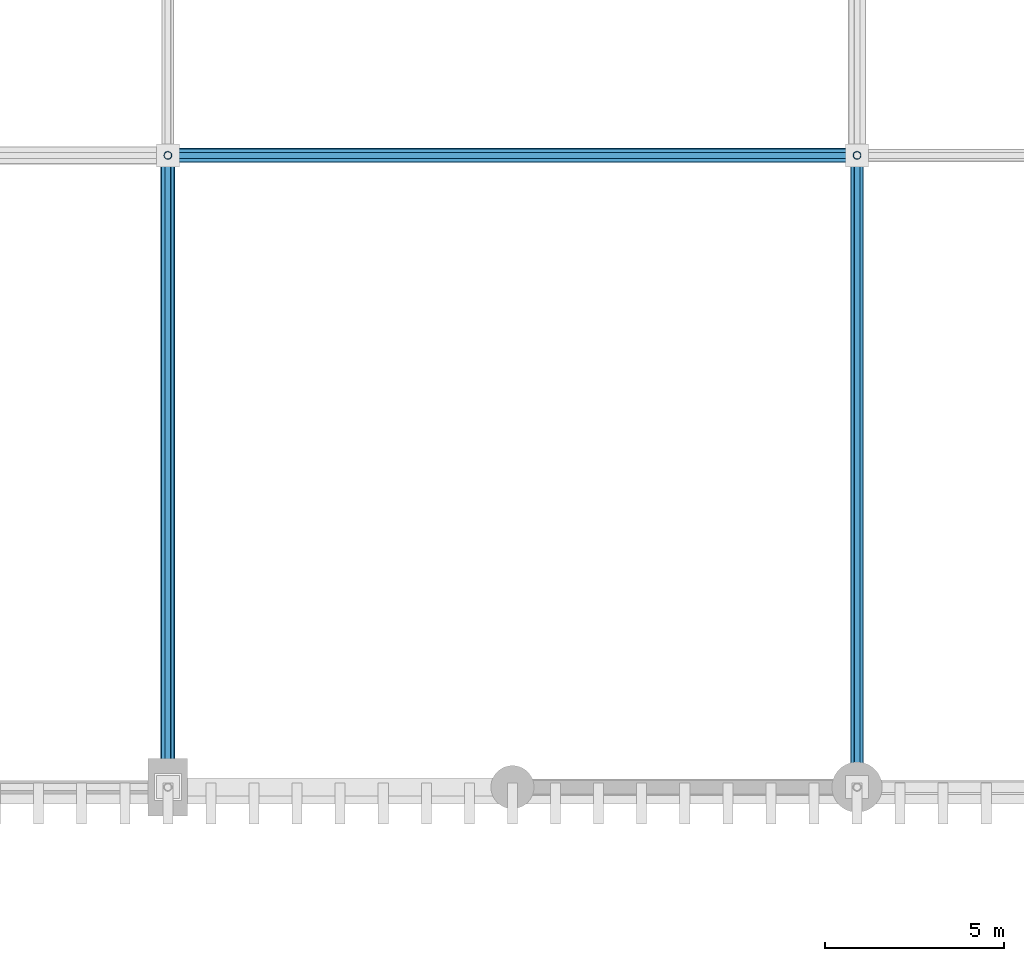
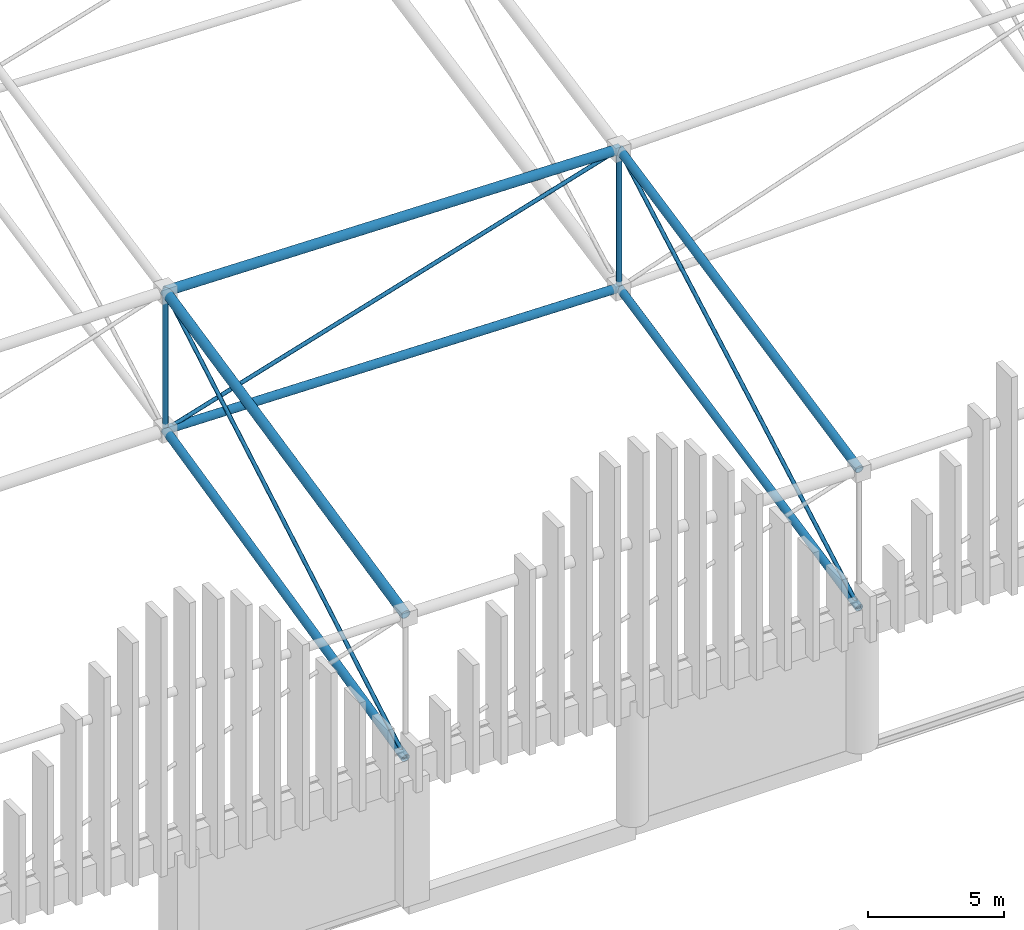
# One storey, part 53 of 193: 11 members.
"""IFC4 building model written with IfcOpenShell, lengths in metres."""

import ifcopenshell
import ifcopenshell.guid

model = None  # the IFC model being written
_history = None  # IfcOwnerHistory: only IFC2X3 demands one
_inside = {}  # id of a spatial element -> (the spatial element, [elements in it])
_under = {}  # id of a project, library or spatial element -> (it, [spatial elements below it])
_declared = {}  # id of a project -> (the project, [libraries it declares])
_typed = {}  # id of a type object -> (the type object, [elements of that type])
_made_of = {}  # id of a material, layer set ... -> (it, [elements and type objects made of it])


def new_model(schema):
    """Start an empty IFC model of exactly this schema.

    Asked for "IFC4X3", IfcOpenShell would pick the latest addendum, in which some entities
    have other attributes; the version numbers below select the first issue.
    IFC2X3 requires an IfcOwnerHistory on every rooted entity: one is made here for all.
    """
    global model, _history
    if schema == "IFC4X3":
        model = ifcopenshell.file(schema_version=(4, 3, 0, 0))
    else:
        model = ifcopenshell.file(schema=schema)
    _inside.clear()
    _under.clear()
    _declared.clear()
    _typed.clear()
    _made_of.clear()
    _history = None
    if model.schema == "IFC2X3":
        org = make("IfcOrganization", Name="unknown")
        user = make(
            "IfcPersonAndOrganization",
            ThePerson=make("IfcPerson", FamilyName="unknown"),
            TheOrganization=org,
        )
        app = make(
            "IfcApplication",
            ApplicationDeveloper=org,
            Version="unknown",
            ApplicationFullName="unknown",
            ApplicationIdentifier="unknown",
        )
        _history = make(
            "IfcOwnerHistory",
            OwningUser=user,
            OwningApplication=app,
            ChangeAction="ADDED",
            CreationDate=0,
        )
    return model


def make(cls, **values):
    """One entity of the class cls with the attributes given. An attribute that is None is left unset."""
    return model.create_entity(
        cls, **{name: value for name, value in values.items() if value is not None}
    )


def rooted(cls, **values):
    """An entity with a GlobalId (a new one), such as an element, a storey or a relation."""
    return make(cls, GlobalId=ifcopenshell.guid.new(), OwnerHistory=_history, **values)


def si_unit(unit_type, name, prefix=None):
    """IfcSIUnit, for example si_unit("LENGTHUNIT", "METRE", prefix="MILLI")."""
    return make("IfcSIUnit", UnitType=unit_type, Prefix=prefix, Name=name)


def assignment(units):
    """IfcUnitAssignment: the units of a project."""
    return None if units is None else make("IfcUnitAssignment", Units=units)


def point(xyz):
    """IfcCartesianPoint."""
    return None if xyz is None else make("IfcCartesianPoint", Coordinates=xyz)


def direction(xyz):
    """IfcDirection."""
    return None if xyz is None else make("IfcDirection", DirectionRatios=xyz)


def frame(location, z_axis=None, x_axis=None):
    """IfcAxis2Placement3D, a coordinate frame: its origin and axes. An axis left out is left unset."""
    return make(
        "IfcAxis2Placement3D",
        Location=point(location),
        Axis=direction(z_axis),
        RefDirection=direction(x_axis),
    )


def frame_2d(location, x_axis=None):
    """IfcAxis2Placement2D, a coordinate frame in the plane: its origin and x axis."""
    return make(
        "IfcAxis2Placement2D", Location=point(location), RefDirection=direction(x_axis)
    )


def origin():
    """The frame at (0, 0, 0) with its axes left unset."""
    return frame((0.0, 0.0, 0.0))


def origin_2d():
    """The frame at (0, 0) in the plane with its x axis left unset."""
    return frame_2d((0.0, 0.0))


def place(relative_to, where):
    """IfcLocalPlacement: puts the frame where relative to a parent placement (None: the world)."""
    return make(
        "IfcLocalPlacement", PlacementRelTo=relative_to, RelativePlacement=where
    )


def context(
    kind, dimensions, precision=None, world=None, true_north=None, identifier=None
):
    """IfcGeometricRepresentationContext, for example the 3D "Model" context."""
    return make(
        "IfcGeometricRepresentationContext",
        ContextIdentifier=identifier,
        ContextType=kind,
        CoordinateSpaceDimension=dimensions,
        Precision=precision,
        WorldCoordinateSystem=world,
        TrueNorth=true_north,
    )


def subcontext(parent, identifier, kind, view, scale=None):
    """IfcGeometricRepresentationSubContext, for example "Body" below "Model"."""
    return make(
        "IfcGeometricRepresentationSubContext",
        ContextIdentifier=identifier,
        ContextType=kind,
        ParentContext=parent,
        TargetScale=scale,
        TargetView=view,
    )


def project(units=None, contexts=None):
    """IfcProject with its units and contexts."""
    return rooted(
        "IfcProject",
        Name="project",
        RepresentationContexts=contexts,
        UnitsInContext=assignment(units),
    )


def spatial(cls, under=None, at=None, **own):
    """A site, building, storey or space (cls), placed at a placement, below another one or the project."""
    s = rooted(cls, ObjectPlacement=at, **own)
    if under is not None:
        _under.setdefault(under.id(), (under, []))[1].append(s)
    return s


def profile(cls, at=None, kind="AREA", **sizes):
    """A parametric profile (cls). Its sizes go by their IFC names, for example OverallWidth=200.0."""
    return make(cls, ProfileType=kind, Position=at, **sizes)


def hollow_circle(**sizes):
    """IfcCircleHollowProfileDef."""
    return profile("IfcCircleHollowProfileDef", **sizes)


def extrude(swept, where, along, depth):
    """IfcExtrudedAreaSolid: the profile swept, set in the frame where, extruded along a direction by depth."""
    return make(
        "IfcExtrudedAreaSolid",
        SweptArea=swept,
        Position=where,
        ExtrudedDirection=direction(along),
        Depth=depth,
    )


def shape(context_of_items, identifier, shape_type, items):
    """IfcShapeRepresentation: the items that make up one representation, for example the "Body"."""
    return make(
        "IfcShapeRepresentation",
        ContextOfItems=context_of_items,
        RepresentationIdentifier=identifier,
        RepresentationType=shape_type,
        Items=items,
    )


def material(Name=None, Category=None):
    """IfcMaterial."""
    return make("IfcMaterial", Name=Name, Category=Category)


def material_profile(
    of_material, cross_section, Name=None, Category=None, Priority=None
):
    """IfcMaterialProfile: a cross section and its material."""
    return make(
        "IfcMaterialProfile",
        Name=Name,
        Material=of_material,
        Profile=cross_section,
        Priority=Priority,
        Category=Category,
    )


def profile_set(profiles, Name=None, composite=None):
    """IfcMaterialProfileSet."""
    return make(
        "IfcMaterialProfileSet",
        Name=Name,
        MaterialProfiles=profiles,
        CompositeProfile=composite,
    )


def made_of(thing, what):
    """Note that an element or type object is made of a material, layer set ...; save() writes the relation."""
    if what is not None:
        _made_of.setdefault(what.id(), (what, []))[1].append(thing)
    return thing


def type_object(cls, material=None, **own):
    """A type object (cls), such as IfcWallType, which elements share."""
    return made_of(rooted(cls, **own), material)


def element(
    cls,
    number,
    at=None,
    inside=None,
    cuts=None,
    type_object=None,
    material=None,
    context=None,
    identifier="Body",
    shape_type=None,
    held_by="IfcProductDefinitionShape",
    body=None,
    shapes=None,
    **own,
):
    """One element of the class cls, such as IfcWall. Its Tag is "e" and its number.

    at: its placement. inside: the storey or other place that contains it. cuts: it is an
    opening in that element (IfcRelVoidsElement). A single representation is given by context,
    identifier, shape_type and body (its items); several are given by shapes. held_by: the class
    of the entity that holds the representations. save() writes the other relations.
    """
    e = rooted(cls, Tag="e%d" % number, ObjectPlacement=at, **own)
    if body is not None:
        shapes = [shape(context, identifier, shape_type, body)]
    if shapes is not None:
        e.Representation = make(held_by, Representations=shapes)
    if inside is not None:
        _inside.setdefault(inside.id(), (inside, []))[1].append(e)
    if cuts is not None:
        rooted(
            "IfcRelVoidsElement", RelatingBuildingElement=cuts, RelatedOpeningElement=e
        )
    if type_object is not None:
        _typed.setdefault(type_object.id(), (type_object, []))[1].append(e)
    return made_of(e, material)


def aggregate(whole, parts):
    """IfcRelAggregates: a whole, such as a stair, and the parts it consists of."""
    return rooted("IfcRelAggregates", RelatingObject=whole, RelatedObjects=parts)


def save(model, path):
    """Write the relations noted so far, then the file.

    IfcRelAggregates (storeys below a building ...), IfcRelContainedInSpatialStructure (elements
    in a storey), IfcRelDefinesByType, IfcRelAssociatesMaterial and IfcRelDeclares: one each for
    every whole, place, type object, material and project.
    """
    for whole, parts in _under.values():
        aggregate(whole, parts)
    for where, things in _inside.values():
        rooted(
            "IfcRelContainedInSpatialStructure",
            RelatedElements=things,
            RelatingStructure=where,
        )
    for kind, things in _typed.values():
        rooted("IfcRelDefinesByType", RelatedObjects=things, RelatingType=kind)
    for what, things in _made_of.values():
        rooted("IfcRelAssociatesMaterial", RelatedObjects=things, RelatingMaterial=what)
    for by, libraries in _declared.values():
        rooted("IfcRelDeclares", RelatingContext=by, RelatedDefinitions=libraries)
    model.write(path)


model = new_model("IFC4")

# Units and contexts
model_context = context("Model", 3, precision=1e-05, world=origin(), true_north=direction((0.0, 1.0)))
body_context = subcontext(model_context, "Body", "Model", "MODEL_VIEW")
ifc_project = project(units=[si_unit("LENGTHUNIT", "METRE"), si_unit("AREAUNIT", "SQUARE_METRE"), si_unit("VOLUMEUNIT", "CUBIC_METRE"), si_unit("PLANEANGLEUNIT", "RADIAN"), si_unit("MASSUNIT", "GRAM", prefix="KILO")], contexts=[model_context])

# Site, building, storey
site_placement = place(None, origin())
site = spatial("IfcSite", under=ifc_project, at=site_placement, CompositionType="ELEMENT")
building_placement = place(site_placement, origin())
building = spatial("IfcBuilding", under=site, at=building_placement, Name="Danafjord Basin Convention Centre", CompositionType="ELEMENT")
storey_placement = place(building_placement, frame((0.0, 0.0, 11.39990234375)))
storey = spatial("IfcBuildingStorey", under=building, at=storey_placement, Name="L02", CompositionType="ELEMENT", Elevation=11.39990234375)

# Members
ifc_material = material(Name="Steel S355", Category="steel")
ifc_material_profile_1 = material_profile(ifc_material, hollow_circle(Radius=0.161865234375, WallThickness=0.01611328125, at=origin_2d()), Name="CHS 323.9x16.0")
ifc_profile_set_1 = profile_set([ifc_material_profile_1], Name="Steel S355")
member_type_1 = type_object("IfcMemberType", Name="MEM-CH-CHS324", PredefinedType="CHORD", material=ifc_profile_set_1)
member_1_placement = place(storey_placement, frame((57.60009765625, 56.0, 6.050048828125), z_axis=(0.0, 0.979044772718, 0.203645115368), x_axis=(-1.0, 0.0, 0.0)))
element("IfcMember", 1, at=member_1_placement, inside=storey, type_object=member_type_1, Name="V1 roof truss transverse bottom chord", PredefinedType="CHORD", context=body_context, shape_type="SweptSolid", body=[
    extrude(hollow_circle(Radius=0.161865234375, WallThickness=0.01611328125, at=origin_2d()), origin(), (0.0, 0.0, 1.0), 17.976806640625),
])
ifc_material_profile_2 = material_profile(ifc_material, hollow_circle(Radius=0.177734375, WallThickness=0.01611328125, at=origin_2d()), Name="CHS 355.6x16.0")
ifc_profile_set_2 = profile_set([ifc_material_profile_2], Name="Steel S355")
member_type_2 = type_object("IfcMemberType", Name="MEM-CH-CHS355", PredefinedType="CHORD", material=ifc_profile_set_2)
member_2_placement = place(storey_placement, frame((38.39990234375, 56.0, 6.050048828125), z_axis=(0.0, 0.97488409866, 0.222712806503), x_axis=(-1.0, 0.0, 0.0)))
element("IfcMember", 2, at=member_2_placement, inside=storey, type_object=member_type_2, Name="V1 roof truss transverse bottom chord", PredefinedType="CHORD", context=body_context, shape_type="SweptSolid", body=[
    extrude(hollow_circle(Radius=0.177734375, WallThickness=0.01611328125, at=origin_2d()), origin(), (0.0, 0.0, 1.0), 18.053466796875),
])
member_3_placement = place(storey_placement, frame((38.39990234375, 73.60009765625, 10.07080078125), z_axis=(0.999824402075, 0.0, -0.018739397394), x_axis=(0.0, 1.0, 0.0)))
element("IfcMember", 3, at=member_3_placement, inside=storey, type_object=member_type_2, Name="V1 roof truss longitudinal bottom chord", PredefinedType="CHORD", context=body_context, shape_type="SweptSolid", body=[
    extrude(hollow_circle(Radius=0.177734375, WallThickness=0.01611328125, at=origin_2d()), origin(), (0.0, 0.0, 1.0), 19.20361328125),
])
member_4_placement = place(storey_placement, frame((57.60009765625, 56.0, 12.25), z_axis=(0.0, 0.979044772718, 0.203645115368), x_axis=(-1.0, 0.0, 0.0)))
element("IfcMember", 4, at=member_4_placement, inside=storey, type_object=member_type_2, Name="V1 roof truss transverse top chord", PredefinedType="CHORD", context=body_context, shape_type="SweptSolid", body=[
    extrude(hollow_circle(Radius=0.177734375, WallThickness=0.01611328125, at=origin_2d()), origin(), (0.0, 0.0, 1.0), 17.976806640625),
])
ifc_material_profile_3 = material_profile(ifc_material, hollow_circle(Radius=0.203125, WallThickness=0.02001953125, at=origin_2d()), Name="CHS 406.4x20.0")
ifc_profile_set_3 = profile_set([ifc_material_profile_3], Name="Steel S355")
member_type_3 = type_object("IfcMemberType", Name="MEM-CH-CHS406", PredefinedType="CHORD", material=ifc_profile_set_3)
member_5_placement = place(storey_placement, frame((38.39990234375, 56.0, 12.47509765625), z_axis=(0.0, 0.977523345498, 0.210827201773), x_axis=(-1.0, 0.0, 0.0)))
element("IfcMember", 5, at=member_5_placement, inside=storey, type_object=member_type_3, Name="V1 roof truss transverse top chord", PredefinedType="CHORD", context=body_context, shape_type="SweptSolid", body=[
    extrude(hollow_circle(Radius=0.203125, WallThickness=0.02001953125, at=origin_2d()), origin(), (0.0, 0.0, 1.0), 18.0048828125),
])
member_6_placement = place(storey_placement, frame((38.39990234375, 73.60009765625, 16.27099609375), z_axis=(0.999824163797, 0.0, -0.01875210622), x_axis=(0.0, 1.0, 0.0)))
element("IfcMember", 6, at=member_6_placement, inside=storey, type_object=member_type_3, Name="V1 roof truss longitudinal top chord", PredefinedType="CHORD", context=body_context, shape_type="SweptSolid", body=[
    extrude(hollow_circle(Radius=0.203125, WallThickness=0.02001953125, at=origin_2d()), origin(), (0.0, 0.0, 1.0), 19.20361328125),
])
ifc_material_profile_4 = material_profile(ifc_material, hollow_circle(Radius=0.109619140625, WallThickness=0.010009765625, at=origin_2d()), Name="CHS 219.1x10.0")
ifc_profile_set_4 = profile_set([ifc_material_profile_4], Name="Steel S355")
member_type_4 = type_object("IfcMemberType", Name="MEM-ST-CHS219", PredefinedType="STRUT", material=ifc_profile_set_4)
member_7_placement = place(storey_placement, frame((38.39990234375, 73.60009765625, 10.07080078125), z_axis=(0.0, 0.0, 1.0), x_axis=(1.0, 0.0, 0.0)))
element("IfcMember", 7, at=member_7_placement, inside=storey, type_object=member_type_4, Name="V1 roof truss vertical strut", PredefinedType="STRUT", context=body_context, shape_type="SweptSolid", body=[
    extrude(hollow_circle(Radius=0.109619140625, WallThickness=0.010009765625, at=origin_2d()), origin(), (0.0, 0.0, 1.0), 6.2001953125),
])
member_8_placement = place(storey_placement, frame((57.60009765625, 73.60009765625, 9.7109375), z_axis=(0.0, 0.0, 1.0), x_axis=(1.0, 0.0, 0.0)))
element("IfcMember", 8, at=member_8_placement, inside=storey, type_object=member_type_4, Name="V1 roof truss vertical strut", PredefinedType="STRUT", context=body_context, shape_type="SweptSolid", body=[
    extrude(hollow_circle(Radius=0.109619140625, WallThickness=0.010009765625, at=origin_2d()), origin(), (0.0, 0.0, 1.0), 6.199951171875),
])
ifc_material_profile_5 = material_profile(ifc_material, hollow_circle(Radius=0.084228515625, WallThickness=0.008056640625, at=origin_2d()), Name="CHS 168.3x8.0")
ifc_profile_set_5 = profile_set([ifc_material_profile_5], Name="Steel S355")
member_type_5 = type_object("IfcMemberType", Name="MEM-WB-CHS168", PredefinedType="MEMBER", material=ifc_profile_set_5)
member_9_placement = place(storey_placement, frame((38.39990234375, 56.0, 6.050048828125), z_axis=(0.0, 0.864756178829, 0.502191946548), x_axis=(-1.0, 0.0, 0.0)))
element("IfcMember", 9, at=member_9_placement, inside=storey, type_object=member_type_5, Name="V1 space-frame transverse web", PredefinedType="MEMBER", context=body_context, shape_type="SweptSolid", body=[
    extrude(hollow_circle(Radius=0.084228515625, WallThickness=0.008056640625, at=origin_2d()), origin(), (0.0, 0.0, 1.0), 20.352783203125),
])
member_10_placement = place(storey_placement, frame((38.39990234375, 73.60009765625, 10.07080078125), z_axis=(0.956721749639, 0.0, 0.291004284791), x_axis=(0.0, 1.0, 0.0)))
element("IfcMember", 10, at=member_10_placement, inside=storey, type_object=member_type_5, Name="V1 space-frame longitudinal web", PredefinedType="MEMBER", context=body_context, shape_type="SweptSolid", body=[
    extrude(hollow_circle(Radius=0.084228515625, WallThickness=0.008056640625, at=origin_2d()), origin(), (0.0, 0.0, 1.0), 20.06884765625),
])
member_11_placement = place(storey_placement, frame((57.60009765625, 56.0, 6.050048828125), z_axis=(0.0, 0.872404880302, 0.488783924475), x_axis=(-1.0, 0.0, 0.0)))
element("IfcMember", 11, at=member_11_placement, inside=storey, type_object=member_type_5, Name="V1 space-frame transverse web", PredefinedType="MEMBER", context=body_context, shape_type="SweptSolid", body=[
    extrude(hollow_circle(Radius=0.084228515625, WallThickness=0.008056640625, at=origin_2d()), origin(), (0.0, 0.0, 1.0), 20.17431640625),
])

save(model, "model.ifc")
